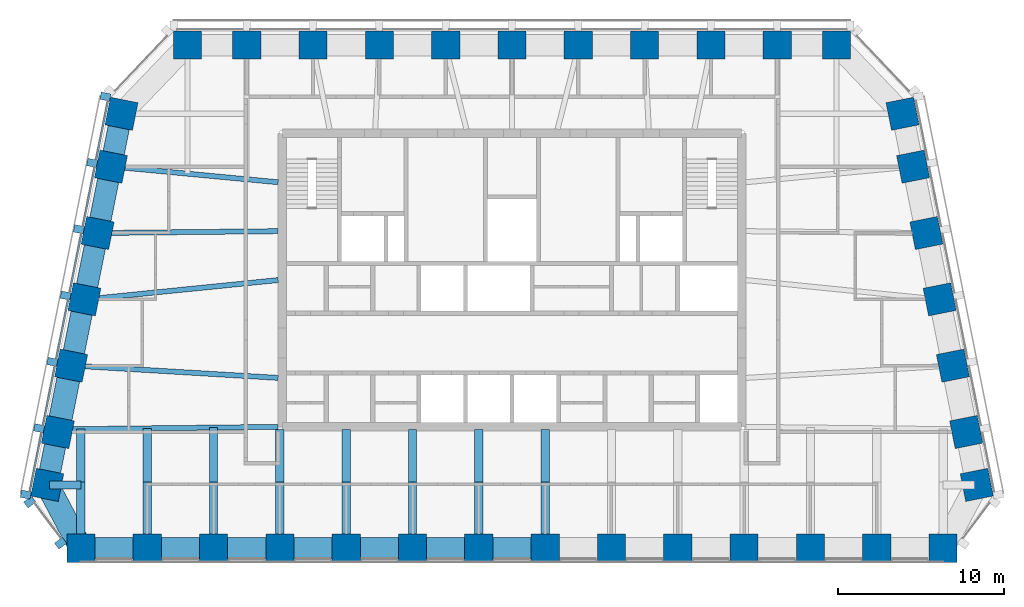
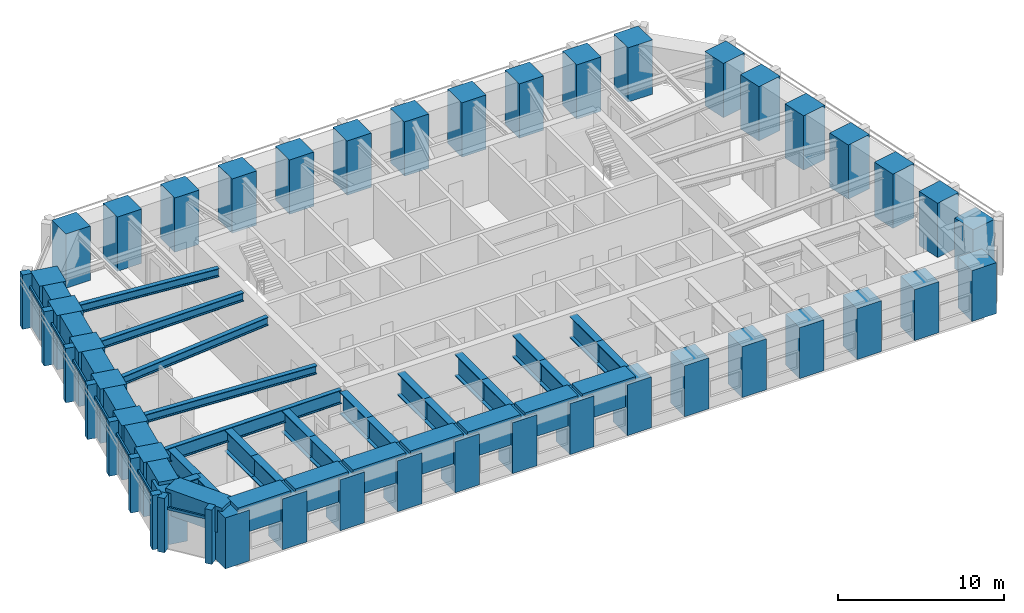
# One storey, part 1 of 12: 39 columns, 36 beams, 16 members, 2 elements without a shape of their own.
"""IFC4 building model written with IfcOpenShell, lengths in metres."""

from ifc_helpers import new_model, si_unit, direction, frame, origin, origin_2d, place, context, subcontext, project, spatial, rectangle, i_section, extrude, material, material_profile, profile_set, type_object, element, aggregate, save


model = new_model("IFC4")

# Units and contexts
model_context = context("Model", 3, precision=1e-05, world=origin(), true_north=direction((0.0, 1.0)))
body_context = subcontext(model_context, "Body", "Model", "MODEL_VIEW")
ifc_project = project(units=[si_unit("LENGTHUNIT", "METRE"), si_unit("AREAUNIT", "SQUARE_METRE"), si_unit("VOLUMEUNIT", "CUBIC_METRE"), si_unit("PLANEANGLEUNIT", "RADIAN"), si_unit("MASSUNIT", "GRAM", prefix="KILO")], contexts=[model_context])

# Site, building, storey
site_placement = place(None, origin())
site = spatial("IfcSite", under=ifc_project, at=site_placement, CompositionType="ELEMENT")
building_placement = place(site_placement, origin())
building = spatial("IfcBuilding", under=site, at=building_placement, Name="Isbrekke Arena Tower", CompositionType="ELEMENT")
storey_placement = place(building_placement, frame((0.0, 0.0, 304.0)))
storey = spatial("IfcBuildingStorey", under=building, at=storey_placement, Name="L71", CompositionType="ELEMENT", Elevation=304.0)

# Columns
ifc_material_1 = material(Name="Concrete B55 (C55/67)", Category="concrete")
ifc_material_profile_1 = material_profile(ifc_material_1, rectangle(XDim=1.699951171875, YDim=1.699951171875, at=origin_2d()), Name="RC 1700x1700")
ifc_profile_set_1 = profile_set([ifc_material_profile_1], Name="Concrete B55 (C55/67)")
column_type = type_object("IfcColumnType", Name="C5 RC 1700 x 1700", PredefinedType="COLUMN", material=ifc_profile_set_1)
for number, where, z_axis, x_axis, name in (
    (1, (-26.0, -1.175048828125, 0.0), (0.0, 0.0, 1.0), (1.0, 0.0, 0.0), "C5 S01"),
    (2, (-22.0, -1.175048828125, 0.0), (0.0, 0.0, 1.0), (1.0, 0.0, 0.0), "C5 S02"),
    (3, (-18.0, -1.175048828125, 0.0), (0.0, 0.0, 1.0), (1.0, 0.0, 0.0), "C5 S03"),
    (4, (-14.0, -1.175048828125, 0.0), (0.0, 0.0, 1.0), (1.0, 0.0, 0.0), "C5 S04"),
    (5, (-10.0, -1.175048828125, 0.0), (0.0, 0.0, 1.0), (1.0, 0.0, 0.0), "C5 S05"),
    (6, (-6.0, -1.175048828125, 0.0), (0.0, 0.0, 1.0), (1.0, 0.0, 0.0), "C5 S06"),
    (7, (-2.0, -1.175048828125, 0.0), (0.0, 0.0, 1.0), (1.0, 0.0, 0.0), "C5 S07"),
    (8, (2.0, -1.175048828125, 0.0), (0.0, 0.0, 1.0), (1.0, 0.0, 0.0), "C5 S08"),
    (9, (6.0, -1.175048828125, 0.0), (0.0, 0.0, 1.0), (1.0, 0.0, 0.0), "C5 S09"),
    (10, (10.0, -1.175048828125, 0.0), (0.0, 0.0, 1.0), (1.0, 0.0, 0.0), "C5 S10"),
    (11, (14.0, -1.175048828125, 0.0), (0.0, 0.0, 1.0), (1.0, 0.0, 0.0), "C5 S11"),
    (12, (18.0, -1.175048828125, 0.0), (0.0, 0.0, 1.0), (1.0, 0.0, 0.0), "C5 S12"),
    (13, (22.0, -1.175048828125, 0.0), (0.0, 0.0, 1.0), (1.0, 0.0, 0.0), "C5 S13"),
    (14, (26.0, -1.175048828125, 0.0), (0.0, 0.0, 1.0), (1.0, 0.0, 0.0), "C5 S14"),
    (15, (28.029296875, 2.647216796875, 0.0), (0.0, 0.0, 1.0), (-0.196116135138, 0.980580675691, 0.0), "C5 E01"),
):
    element("IfcColumn", number, at=place(storey_placement, frame(where, z_axis=z_axis, x_axis=x_axis)), inside=storey, type_object=column_type, Name=name, PredefinedType="COLUMN", context=body_context, shape_type="SweptSolid", body=[
        extrude(rectangle(XDim=1.699951171875, YDim=1.699951171875, at=origin_2d()), origin(), (0.0, 0.0, 1.0), 3.75),
    ])
for number, where, z_axis, x_axis, name in (
    (16, (27.39111328125, 5.838134765625, 0.0), (0.0, 0.0, 1.0), (-0.196116135138, 0.980580675691, 0.0), "C5 E02"),
    (17, (26.591064453125, 9.838134765625, 0.0), (0.0, 0.0, 1.0), (-0.196116135138, 0.980580675691, 0.0), "C5 E03"),
    (18, (25.791015625, 13.838134765625, 0.0), (0.0, 0.0, 1.0), (-0.196116135138, 0.980580675691, 0.0), "C5 E04"),
    (19, (24.990966796875, 17.838134765625, 0.0), (0.0, 0.0, 1.0), (-0.196116135138, 0.980580675691, 0.0), "C5 E05"),
    (20, (24.19091796875, 21.838134765625, 0.0), (0.0, 0.0, 1.0), (-0.196116135138, 0.980580675691, 0.0), "C5 E06"),
    (21, (23.552734375, 25.029296875, 0.0), (0.0, 0.0, 1.0), (-0.196116135138, 0.980580675691, 0.0), "C5 E07"),
    (22, (19.574951171875, 29.175048828125, 0.0), (0.0, 0.0, 1.0), (-1.0, 0.0, 0.0), "C5 N01"),
    (23, (16.0, 29.175048828125, 0.0), (0.0, 0.0, 1.0), (-1.0, 0.0, 0.0), "C5 N02"),
    (24, (12.0, 29.175048828125, 0.0), (0.0, 0.0, 1.0), (-1.0, 0.0, 0.0), "C5 N03"),
    (25, (8.0, 29.175048828125, 0.0), (0.0, 0.0, 1.0), (-1.0, 0.0, 0.0), "C5 N04"),
    (26, (4.0, 29.175048828125, 0.0), (0.0, 0.0, 1.0), (-1.0, 0.0, 0.0), "C5 N05"),
    (27, (0.0, 29.175048828125, 0.0), (0.0, 0.0, 1.0), (-1.0, 0.0, 0.0), "C5 N06"),
    (28, (-4.0, 29.175048828125, 0.0), (0.0, 0.0, 1.0), (-1.0, 0.0, 0.0), "C5 N07"),
    (29, (-8.0, 29.175048828125, 0.0), (0.0, 0.0, 1.0), (-1.0, 0.0, 0.0), "C5 N08"),
    (30, (-12.0, 29.175048828125, 0.0), (0.0, 0.0, 1.0), (-1.0, 0.0, 0.0), "C5 N09"),
    (31, (-16.0, 29.175048828125, 0.0), (0.0, 0.0, 1.0), (-1.0, 0.0, 0.0), "C5 N10"),
    (32, (-19.574951171875, 29.175048828125, 0.0), (0.0, 0.0, 1.0), (-1.0, 0.0, 0.0), "C5 N11"),
    (33, (-23.552734375, 25.029296875, 0.0), (0.0, 0.0, 1.0), (-0.196116135138, -0.980580675691, 0.0), "C5 W01"),
    (34, (-24.19091796875, 21.838134765625, 0.0), (0.0, 0.0, 1.0), (-0.196116135138, -0.980580675691, 0.0), "C5 W02"),
    (35, (-24.990966796875, 17.838134765625, 0.0), (0.0, 0.0, 1.0), (-0.196116135138, -0.980580675691, 0.0), "C5 W03"),
    (36, (-25.791015625, 13.838134765625, 0.0), (0.0, 0.0, 1.0), (-0.196116135138, -0.980580675691, 0.0), "C5 W04"),
    (37, (-26.591064453125, 9.838134765625, 0.0), (0.0, 0.0, 1.0), (-0.196116135138, -0.980580675691, 0.0), "C5 W05"),
    (38, (-27.39111328125, 5.838134765625, 0.0), (0.0, 0.0, 1.0), (-0.196116135138, -0.980580675691, 0.0), "C5 W06"),
):
    element("IfcColumn", number, at=place(storey_placement, frame(where, z_axis=z_axis, x_axis=x_axis)), inside=storey, type_object=column_type, Name=name, PredefinedType="COLUMN", context=body_context, shape_type="SweptSolid", body=[
        extrude(rectangle(XDim=1.699951171875, YDim=1.699951171875, at=origin_2d()), origin(), (0.0, 0.0, 1.0), 4.0),
    ])
column_placement = place(storey_placement, frame((-28.029296875, 2.647216796875, 0.0), z_axis=(0.0, 0.0, 1.0), x_axis=(-0.196116135138, -0.980580675691, 0.0)))
element("IfcColumn", 39, at=column_placement, inside=storey, type_object=column_type, Name="C5 W07", PredefinedType="COLUMN", context=body_context, shape_type="SweptSolid", body=[
    extrude(rectangle(XDim=1.699951171875, YDim=1.699951171875, at=origin_2d()), origin(), (0.0, 0.0, 1.0), 3.75),
])

# Beams
ifc_material_2 = material(Name="Steel S355", Category="steel")
ifc_material_profile_2 = material_profile(ifc_material_2, i_section(OverallWidth=0.304931640625, OverallDepth=0.6201171875, WebThickness=0.02099609375, FlangeThickness=0.0400390625, FilletRadius=0.027099609375, at=origin_2d()), Name="HEM 600")
ifc_profile_set_2 = profile_set([ifc_material_profile_2], Name="Steel S355")
beam_type_1 = type_object("IfcBeamType", Name="B4 HEM 600", PredefinedType="BEAM", material=ifc_profile_set_2)
beam_1_placement = place(storey_placement, frame((-24.02685546875, 21.8369140625, 3.5400390625), z_axis=(0.995574576627, -0.093974796485, 0.0), x_axis=(0.093974796485, 0.995574576627, 0.0)))
element("IfcBeam", 40, at=beam_1_placement, inside=storey, type_object=beam_type_1, Name="B4 beam E-W02 L71", PredefinedType="BEAM", context=body_context, shape_type="SweptSolid", body=[
    extrude(i_section(OverallWidth=0.304931640625, OverallDepth=0.6201171875, WebThickness=0.02099609375, FlangeThickness=0.0400390625, FilletRadius=0.027099609375, at=origin_2d()), origin(), (0.0, 0.0, 1.0), 9.970947265625),
])
beam_2_placement = place(storey_placement, frame((-24.83935546875, 17.838134765625, 3.5400390625), z_axis=(0.999945800258, 0.010411366203, 0.0), x_axis=(-0.010411366203, 0.999945800258, 0.0)))
element("IfcBeam", 41, at=beam_2_placement, inside=storey, type_object=beam_type_1, Name="B4 beam E-W03 L71", PredefinedType="BEAM", context=body_context, shape_type="SweptSolid", body=[
    extrude(i_section(OverallWidth=0.304931640625, OverallDepth=0.6201171875, WebThickness=0.02099609375, FlangeThickness=0.0400390625, FilletRadius=0.027099609375, at=origin_2d()), origin(), (0.0, 0.0, 1.0), 10.73974609375),
])
beam_3_placement = place(storey_placement, frame((-25.625732421875, 13.83984375, 3.5400390625), z_axis=(0.994972081505, 0.100152668587, 0.0), x_axis=(-0.100152668587, 0.994972081505, 0.0)))
element("IfcBeam", 42, at=beam_3_placement, inside=storey, type_object=beam_type_1, Name="B4 beam E-W04 L71", PredefinedType="BEAM", context=body_context, shape_type="SweptSolid", body=[
    extrude(i_section(OverallWidth=0.304931640625, OverallDepth=0.6201171875, WebThickness=0.02099609375, FlangeThickness=0.0400390625, FilletRadius=0.027099609375, at=origin_2d()), origin(), (0.0, 0.0, 1.0), 11.583984375),
])
beam_4_placement = place(storey_placement, frame((-26.431884765625, 9.837646484375, 3.5400390625), z_axis=(0.998216240514, -0.059702070095, 0.0), x_axis=(0.059702070095, 0.998216240514, 0.0)))
element("IfcBeam", 43, at=beam_4_placement, inside=storey, type_object=beam_type_1, Name="B4 beam E-W05 L71", PredefinedType="BEAM", context=body_context, shape_type="SweptSolid", body=[
    extrude(i_section(OverallWidth=0.304931640625, OverallDepth=0.6201171875, WebThickness=0.02099609375, FlangeThickness=0.0400390625, FilletRadius=0.027099609375, at=origin_2d()), origin(), (0.0, 0.0, 1.0), 12.353759765625),
])

# Curtain wall, members
ifc_material_3 = material(Name="Glazed aluminium curtain wall", Category="aluminium")
curtain_wall_type = type_object("IfcCurtainWallType", Name="CWT TOWER CURTAIN WALL TOP ZONE", PredefinedType="USERDEFINED", material=ifc_material_3)
curtain_wall_1_placement = place(storey_placement, origin())
curtain_wall_1 = element("IfcCurtainWall", 44, at=curtain_wall_1_placement, inside=storey, type_object=curtain_wall_type, Name="CWT curtain wall L71-W", ObjectType="TOWER CURTAIN WALL TOP ZONE", PredefinedType="USERDEFINED")
ifc_material_4 = material(Name="Copper-clad aluminium mullion", Category="aluminium")
ifc_material_profile_3 = material_profile(ifc_material_4, rectangle(XDim=0.449951171875, YDim=0.60009765625, at=origin_2d()), Name="PIER 450X600")
ifc_profile_set_3 = profile_set([ifc_material_profile_3], Name="Copper-clad aluminium mullion")
member_type_1 = type_object("IfcMemberType", Name="CWT-M PIER MULLION 450 x 600", PredefinedType="MULLION", material=ifc_profile_set_3)
member_1_placement = place(storey_placement, frame((-24.518798828125, 26.063720703125, 0.0), z_axis=(0.0, 0.0, 1.0), x_axis=(-0.196116135138, -0.980580675691, 0.0)))
member_1 = element("IfcMember", 45, at=member_1_placement, type_object=member_type_1, Name="CWT-M mullion 1", PredefinedType="MULLION", context=body_context, shape_type="SweptSolid", body=[
    extrude(rectangle(XDim=0.449951171875, YDim=0.60009765625, at=origin_2d()), origin(), (0.0, 0.0, 1.0), 4.0),
])
member_2_placement = place(storey_placement, frame((-25.318603515625, 22.063720703125, 0.0), z_axis=(0.0, 0.0, 1.0), x_axis=(-0.196116135138, -0.980580675691, 0.0)))
member_2 = element("IfcMember", 46, at=member_2_placement, type_object=member_type_1, Name="CWT-M mullion 2", PredefinedType="MULLION", context=body_context, shape_type="SweptSolid", body=[
    extrude(rectangle(XDim=0.449951171875, YDim=0.60009765625, at=origin_2d()), origin(), (0.0, 0.0, 1.0), 4.0),
])
member_3_placement = place(storey_placement, frame((-26.11865234375, 18.063720703125, 0.0), z_axis=(0.0, 0.0, 1.0), x_axis=(-0.196116135138, -0.980580675691, 0.0)))
member_3 = element("IfcMember", 47, at=member_3_placement, type_object=member_type_1, Name="CWT-M mullion 3", PredefinedType="MULLION", context=body_context, shape_type="SweptSolid", body=[
    extrude(rectangle(XDim=0.449951171875, YDim=0.60009765625, at=origin_2d()), origin(), (0.0, 0.0, 1.0), 4.0),
])
member_4_placement = place(storey_placement, frame((-26.918701171875, 14.063720703125, 0.0), z_axis=(0.0, 0.0, 1.0), x_axis=(-0.196116135138, -0.980580675691, 0.0)))
member_4 = element("IfcMember", 48, at=member_4_placement, type_object=member_type_1, Name="CWT-M mullion 4", PredefinedType="MULLION", context=body_context, shape_type="SweptSolid", body=[
    extrude(rectangle(XDim=0.449951171875, YDim=0.60009765625, at=origin_2d()), origin(), (0.0, 0.0, 1.0), 4.0),
])
member_5_placement = place(storey_placement, frame((-27.71875, 10.063720703125, 0.0), z_axis=(0.0, 0.0, 1.0), x_axis=(-0.196116135138, -0.980580675691, 0.0)))
member_5 = element("IfcMember", 49, at=member_5_placement, type_object=member_type_1, Name="CWT-M mullion 5", PredefinedType="MULLION", context=body_context, shape_type="SweptSolid", body=[
    extrude(rectangle(XDim=0.449951171875, YDim=0.60009765625, at=origin_2d()), origin(), (0.0, 0.0, 1.0), 4.0),
])
member_6_placement = place(storey_placement, frame((-28.518798828125, 6.063720703125, 0.0), z_axis=(0.0, 0.0, 1.0), x_axis=(-0.196116135138, -0.980580675691, 0.0)))
member_6 = element("IfcMember", 50, at=member_6_placement, type_object=member_type_1, Name="CWT-M mullion 6", PredefinedType="MULLION", context=body_context, shape_type="SweptSolid", body=[
    extrude(rectangle(XDim=0.449951171875, YDim=0.60009765625, at=origin_2d()), origin(), (0.0, 0.0, 1.0), 4.0),
])
member_7_placement = place(storey_placement, frame((-29.318603515625, 2.063720703125, 0.0), z_axis=(0.0, 0.0, 1.0), x_axis=(-0.196116135138, -0.980580675691, 0.0)))
member_7 = element("IfcMember", 51, at=member_7_placement, type_object=member_type_1, Name="CWT-M mullion 7", PredefinedType="MULLION", context=body_context, shape_type="SweptSolid", body=[
    extrude(rectangle(XDim=0.449951171875, YDim=0.60009765625, at=origin_2d()), origin(), (0.0, 0.0, 1.0), 4.0),
])

curtain_wall_2_placement = place(storey_placement, origin())
curtain_wall_2 = element("IfcCurtainWall", 52, at=curtain_wall_2_placement, inside=storey, type_object=curtain_wall_type, Name="CWT curtain wall L71-WS", ObjectType="TOWER CURTAIN WALL TOP ZONE", PredefinedType="USERDEFINED")
member_8_placement = place(storey_placement, frame((-29.08447265625, 1.612548828125, 0.0), z_axis=(0.0, 0.0, 1.0), x_axis=(0.600000000002, -0.799999999998, 0.0)))
member_8 = element("IfcMember", 53, at=member_8_placement, type_object=member_type_1, Name="CWT-M mullion 1", PredefinedType="MULLION", context=body_context, shape_type="SweptSolid", body=[
    extrude(rectangle(XDim=0.449951171875, YDim=0.60009765625, at=origin_2d()), origin(), (0.0, 0.0, 1.0), 4.0),
])
member_9_placement = place(storey_placement, frame((-27.222412109375, -0.8701171875, 0.0), z_axis=(0.0, 0.0, 1.0), x_axis=(0.600000000002, -0.799999999998, 0.0)))
member_9 = element("IfcMember", 54, at=member_9_placement, type_object=member_type_1, Name="CWT-M mullion 2", PredefinedType="MULLION", context=body_context, shape_type="SweptSolid", body=[
    extrude(rectangle(XDim=0.449951171875, YDim=0.60009765625, at=origin_2d()), origin(), (0.0, 0.0, 1.0), 4.0),
])

# Member
ifc_material_5 = material(Name="Aluminium transom", Category="aluminium")
ifc_material_profile_4 = material_profile(ifc_material_5, rectangle(XDim=0.1201171875, YDim=0.199951171875, at=origin_2d()), Name="TRANSOM 120X200")
ifc_profile_set_4 = profile_set([ifc_material_profile_4], Name="Aluminium transom")
member_type_2 = type_object("IfcMemberType", Name="CWT-T TRANSOM 120 x 200", PredefinedType="USERDEFINED", material=ifc_profile_set_4)
member_10_placement = place(storey_placement, frame((-24.36669921875, 25.803955078125, 3.0), z_axis=(-0.196090262229, -0.980585849918, 0.0), x_axis=(0.980585849918, -0.196090262229, 0.0)))
member_10 = element("IfcMember", 55, at=member_10_placement, type_object=member_type_2, Name="CWT-T transom 1", ObjectType="TRANSOM", PredefinedType="USERDEFINED", context=body_context, shape_type="SweptSolid", body=[
    extrude(rectangle(XDim=0.1201171875, YDim=0.199951171875, at=origin_2d()), origin(), (0.0, 0.0, 1.0), 3.62939453125),
])

member_11_placement = place(storey_placement, frame((-25.166748046875, 21.803955078125, 3.0), z_axis=(-0.196090262229, -0.980585849918, 0.0), x_axis=(0.980585849918, -0.196090262229, 0.0)))
member_11 = element("IfcMember", 56, at=member_11_placement, type_object=member_type_2, Name="CWT-T transom 2", ObjectType="TRANSOM", PredefinedType="USERDEFINED", context=body_context, shape_type="SweptSolid", body=[
    extrude(rectangle(XDim=0.1201171875, YDim=0.199951171875, at=origin_2d()), origin(), (0.0, 0.0, 1.0), 3.62939453125),
])

member_12_placement = place(storey_placement, frame((-25.966796875, 17.803955078125, 3.0), z_axis=(-0.196090262229, -0.980585849918, 0.0), x_axis=(0.980585849918, -0.196090262229, 0.0)))
member_12 = element("IfcMember", 57, at=member_12_placement, type_object=member_type_2, Name="CWT-T transom 3", ObjectType="TRANSOM", PredefinedType="USERDEFINED", context=body_context, shape_type="SweptSolid", body=[
    extrude(rectangle(XDim=0.1201171875, YDim=0.199951171875, at=origin_2d()), origin(), (0.0, 0.0, 1.0), 3.62939453125),
])

member_13_placement = place(storey_placement, frame((-26.7666015625, 13.803955078125, 3.0), z_axis=(-0.196154943734, -0.980572913173, 0.0), x_axis=(0.980572913173, -0.196154943734, 0.0)))
member_13 = element("IfcMember", 58, at=member_13_placement, type_object=member_type_2, Name="CWT-T transom 4", ObjectType="TRANSOM", PredefinedType="USERDEFINED", context=body_context, shape_type="SweptSolid", body=[
    extrude(rectangle(XDim=0.1201171875, YDim=0.199951171875, at=origin_2d()), origin(), (0.0, 0.0, 1.0), 3.62939453125),
])

member_14_placement = place(storey_placement, frame((-27.566650390625, 9.803955078125, 3.0), z_axis=(-0.196154943734, -0.980572913173, 0.0), x_axis=(0.980572913173, -0.196154943734, 0.0)))
member_14 = element("IfcMember", 59, at=member_14_placement, type_object=member_type_2, Name="CWT-T transom 5", ObjectType="TRANSOM", PredefinedType="USERDEFINED", context=body_context, shape_type="SweptSolid", body=[
    extrude(rectangle(XDim=0.1201171875, YDim=0.199951171875, at=origin_2d()), origin(), (0.0, 0.0, 1.0), 3.62939453125),
])

member_15_placement = place(storey_placement, frame((-28.36669921875, 5.803955078125, 3.0), z_axis=(-0.196090262229, -0.980585849918, 0.0), x_axis=(0.980585849918, -0.196090262229, 0.0)))
member_15 = element("IfcMember", 60, at=member_15_placement, type_object=member_type_2, Name="CWT-T transom 6", ObjectType="TRANSOM", PredefinedType="USERDEFINED", context=body_context, shape_type="SweptSolid", body=[
    extrude(rectangle(XDim=0.1201171875, YDim=0.199951171875, at=origin_2d()), origin(), (0.0, 0.0, 1.0), 3.62939453125),
])

aggregate(curtain_wall_1, [member_1, member_2, member_3, member_4, member_5, member_6, member_7, member_10, member_11, member_12, member_13, member_14, member_15])

member_16_placement = place(storey_placement, frame((-28.78955078125, 1.552734375, 3.0), z_axis=(0.6, -0.8, 0.0), x_axis=(0.8, 0.6, 0.0)))
member_16 = element("IfcMember", 61, at=member_16_placement, type_object=member_type_2, Name="CWT-T transom 1", ObjectType="TRANSOM", PredefinedType="USERDEFINED", context=body_context, shape_type="SweptSolid", body=[
    extrude(rectangle(XDim=0.1201171875, YDim=0.199951171875, at=origin_2d()), origin(), (0.0, 0.0, 1.0), 2.65380859375),
])

aggregate(curtain_wall_2, [member_8, member_9, member_16])

# Beams
ifc_material_6 = material(Name="Steel S355", Category="steel")
ifc_material_profile_5 = material_profile(ifc_material_6, i_section(OverallWidth=0.302001953125, OverallDepth=1.008056640625, WebThickness=0.02099609375, FlangeThickness=0.0400390625, FilletRadius=0.030029296875, at=origin_2d()), Name="HEM 1000")
ifc_profile_set_5 = profile_set([ifc_material_profile_5], Name="Steel S355")
beam_type_2 = type_object("IfcBeamType", Name="G2 HEM 1000", PredefinedType="BEAM", material=ifc_profile_set_5)
beam_5_placement = place(storey_placement, frame((-14.10009765625, 6.14990234375, 3.345947265625), z_axis=(-0.999936387749, -0.011279204565, 0.0), x_axis=(0.011279204565, -0.999936387749, 0.0)))
element("IfcBeam", 62, at=beam_5_placement, inside=storey, type_object=beam_type_2, Name="G2 beam G2-W L71", PredefinedType="BEAM", context=body_context, shape_type="SweptSolid", body=[
    extrude(i_section(OverallWidth=0.302001953125, OverallDepth=1.008056640625, WebThickness=0.02099609375, FlangeThickness=0.0400390625, FilletRadius=0.030029296875, at=origin_2d()), origin(), (0.0, 0.0, 1.0), 13.2900390625),
])
ifc_material_7 = material(Name="Concrete B55 (C55/67)", Category="concrete")
ifc_material_profile_6 = material_profile(ifc_material_7, rectangle(XDim=1.300048828125, YDim=2.0, at=origin_2d()), Name="RC 1300x2000")
ifc_profile_set_6 = profile_set([ifc_material_profile_6], Name="Concrete B55 (C55/67)")
beam_type_3 = type_object("IfcBeamType", Name="SB4 RC 1300 x 2000", PredefinedType="SPANDREL", material=ifc_profile_set_6)
for number, where, z_axis, x_axis, name in (
    (63, (-25.85009765625, -1.175048828125, 3.0), (1.0, 0.0, 0.0), (0.0, 1.0, 0.0), "SB4 spandrel S01-S02 L71"),
    (64, (-21.85009765625, -1.175048828125, 3.0), (1.0, 0.0, 0.0), (0.0, 1.0, 0.0), "SB4 spandrel S02-S03 L71"),
    (65, (-17.85009765625, -1.175048828125, 3.0), (1.0, 0.0, 0.0), (0.0, 1.0, 0.0), "SB4 spandrel S03-S04 L71"),
    (66, (-13.85009765625, -1.175048828125, 3.0), (1.0, 0.0, 0.0), (0.0, 1.0, 0.0), "SB4 spandrel S04-S05 L71"),
    (67, (-9.85009765625, -1.175048828125, 3.0), (1.0, 0.0, 0.0), (0.0, 1.0, 0.0), "SB4 spandrel S05-S06 L71"),
    (68, (-5.85009765625, -1.175048828125, 3.0), (1.0, 0.0, 0.0), (0.0, 1.0, 0.0), "SB4 spandrel S06-S07 L71"),
    (69, (-1.85009765625, -1.175048828125, 3.0), (1.0, 0.0, 0.0), (0.0, 1.0, 0.0), "SB4 spandrel S07-S08 L71"),
):
    element("IfcBeam", number, at=place(storey_placement, frame(where, z_axis=z_axis, x_axis=x_axis)), inside=storey, type_object=beam_type_3, Name=name, PredefinedType="SPANDREL", context=body_context, shape_type="SweptSolid", body=[
        extrude(rectangle(XDim=1.300048828125, YDim=2.0, at=origin_2d()), origin(), (0.0, 0.0, 1.0), 3.7001953125),
    ])
beam_6_placement = place(storey_placement, frame((-23.582275390625, 24.882080078125, 3.0), z_axis=(-0.196116135138, -0.980580675691, 0.0), x_axis=(0.980580675691, -0.196116135138, 0.0)))
element("IfcBeam", 70, at=beam_6_placement, inside=storey, type_object=beam_type_3, Name="SB4 spandrel W01-W02 L71", PredefinedType="SPANDREL", context=body_context, shape_type="SweptSolid", body=[
    extrude(rectangle(XDim=1.300048828125, YDim=2.0, at=origin_2d()), origin(), (0.0, 0.0, 1.0), 2.9541015625),
])
for number, where, z_axis, x_axis, name in (
    (71, (-24.220458984375, 21.691162109375, 3.0), (-0.196128558387, -0.980578190959, 0.0), (0.980578190959, -0.196128558387, 0.0), "SB4 spandrel W02-W03 L71"),
    (72, (-25.0205078125, 17.691162109375, 3.0), (-0.196128558387, -0.980578190959, 0.0), (0.980578190959, -0.196128558387, 0.0), "SB4 spandrel W03-W04 L71"),
):
    element("IfcBeam", number, at=place(storey_placement, frame(where, z_axis=z_axis, x_axis=x_axis)), inside=storey, type_object=beam_type_3, Name=name, PredefinedType="SPANDREL", context=body_context, shape_type="SweptSolid", body=[
        extrude(rectangle(XDim=1.300048828125, YDim=2.0, at=origin_2d()), origin(), (0.0, 0.0, 1.0), 3.779296875),
    ])
beam_7_placement = place(storey_placement, frame((-25.820556640625, 13.691162109375, 3.0), z_axis=(-0.1960664412, -0.980590613169, 0.0), x_axis=(0.980590613169, -0.1960664412, 0.0)))
element("IfcBeam", 73, at=beam_7_placement, inside=storey, type_object=beam_type_3, Name="SB4 spandrel W04-W05 L71", PredefinedType="SPANDREL", context=body_context, shape_type="SweptSolid", body=[
    extrude(rectangle(XDim=1.300048828125, YDim=2.0, at=origin_2d()), origin(), (0.0, 0.0, 1.0), 3.779052734375),
])
beam_8_placement = place(storey_placement, frame((-27.229248046875, 6.647216796875, 3.0), z_axis=(-0.196092237713, -0.980585454873, 0.0), x_axis=(0.980585454873, -0.196092237713, 0.0)))
element("IfcBeam", 74, at=beam_8_placement, inside=storey, type_object=beam_type_3, Name="SB4 spandrel W06-W07 L71", PredefinedType="SPANDREL", context=body_context, shape_type="SweptSolid", body=[
    extrude(rectangle(XDim=1.300048828125, YDim=2.0, at=origin_2d()), origin(), (0.0, 0.0, 1.0), 3.92919921875),
])
ifc_material_8 = material(Name="Concrete B55 (C55/67)", Category="concrete")
ifc_material_profile_7 = material_profile(ifc_material_8, rectangle(XDim=1.39990234375, YDim=1.89990234375, at=origin_2d()), Name="RC 1400 x 1900")
ifc_profile_set_7 = profile_set([ifc_material_profile_7], Name="Concrete B55 (C55/67)")
beam_type_4 = type_object("IfcBeamType", Name="SB5 RC 1400  x  1900", PredefinedType="SPANDREL", material=ifc_profile_set_7)
beam_9_placement = place(storey_placement, frame((-26.620361328125, 9.691162109375, 3.050048828125), z_axis=(-0.196146384009, -0.980574625432, 0.0), x_axis=(0.980574625432, -0.196146384009, 0.0)))
element("IfcBeam", 75, at=beam_9_placement, inside=storey, type_object=beam_type_4, Name="SB5 spandrel W05-W06 L71", PredefinedType="SPANDREL", context=body_context, shape_type="SweptSolid", body=[
    extrude(rectangle(XDim=1.39990234375, YDim=1.89990234375, at=origin_2d()), origin(), (0.0, 0.0, 1.0), 3.104248046875),
])
beam_10_placement = place(storey_placement, frame((-27.958984375, 2.5146484375, 3.050048828125), z_axis=(0.468951332977, -0.883224007429, 0.0), x_axis=(0.883224007429, 0.468951332977, 0.0)))
element("IfcBeam", 76, at=beam_10_placement, inside=storey, type_object=beam_type_4, Name="SB5 spandrel W07-S01 L71", PredefinedType="SPANDREL", context=body_context, shape_type="SweptSolid", body=[
    extrude(rectangle(XDim=1.39990234375, YDim=1.89990234375, at=origin_2d()), origin(), (0.0, 0.0, 1.0), 4.02734375),
])
ifc_material_9 = material(Name="Steel S355", Category="steel")
ifc_material_profile_8 = material_profile(ifc_material_9, i_section(OverallWidth=0.5, OverallDepth=1.60009765625, WebThickness=0.030029296875, FlangeThickness=0.06005859375, at=origin_2d()), Name="PG 1600x500")
ifc_profile_set_8 = profile_set([ifc_material_profile_8], Name="Steel S355")
beam_type_5 = type_object("IfcBeamType", Name="TG1 PG 1600x500", PredefinedType="BEAM", material=ifc_profile_set_8)
beam_11_placement = place(storey_placement, frame((-26.0, -1.02490234375, 2.949951171875), z_axis=(0.0, 1.0, 0.0), x_axis=(-1.0, 0.0, 0.0)))
element("IfcBeam", 77, at=beam_11_placement, inside=storey, type_object=beam_type_5, Name="TG1 transfer girder C-S01 L71 part 1", PredefinedType="BEAM", context=body_context, shape_type="SweptSolid", body=[
    extrude(i_section(OverallWidth=0.5, OverallDepth=1.60009765625, WebThickness=0.030029296875, FlangeThickness=0.06005859375, at=origin_2d()), origin(), (0.0, 0.0, 1.0), 3.849853515625),
])
beam_12_placement = place(storey_placement, frame((-26.0, 2.824951171875, 2.949951171875), z_axis=(0.0, 1.0, 0.0), x_axis=(-1.0, 0.0, 0.0)))
element("IfcBeam", 78, at=beam_12_placement, inside=storey, type_object=beam_type_5, Name="TG1 transfer girder C-S01 L71 part 2", PredefinedType="BEAM", context=body_context, shape_type="SweptSolid", body=[
    extrude(i_section(OverallWidth=0.5, OverallDepth=1.60009765625, WebThickness=0.030029296875, FlangeThickness=0.06005859375, at=origin_2d()), origin(), (0.0, 0.0, 1.0), 3.190673828125),
])
beam_13_placement = place(storey_placement, frame((-22.0, -1.02490234375, 2.949951171875), z_axis=(0.0, 1.0, 0.0), x_axis=(-1.0, 0.0, 0.0)))
element("IfcBeam", 79, at=beam_13_placement, inside=storey, type_object=beam_type_5, Name="TG1 transfer girder C-S02 L71 part 1", PredefinedType="BEAM", context=body_context, shape_type="SweptSolid", body=[
    extrude(i_section(OverallWidth=0.5, OverallDepth=1.60009765625, WebThickness=0.030029296875, FlangeThickness=0.06005859375, at=origin_2d()), origin(), (0.0, 0.0, 1.0), 3.849853515625),
])
beam_14_placement = place(storey_placement, frame((-22.0, 2.824951171875, 2.949951171875), z_axis=(0.0, 1.0, 0.0), x_axis=(-1.0, 0.0, 0.0)))
element("IfcBeam", 80, at=beam_14_placement, inside=storey, type_object=beam_type_5, Name="TG1 transfer girder C-S02 L71 part 2", PredefinedType="BEAM", context=body_context, shape_type="SweptSolid", body=[
    extrude(i_section(OverallWidth=0.5, OverallDepth=1.60009765625, WebThickness=0.030029296875, FlangeThickness=0.06005859375, at=origin_2d()), origin(), (0.0, 0.0, 1.0), 3.23583984375),
])
beam_15_placement = place(storey_placement, frame((-18.0, -1.02490234375, 2.949951171875), z_axis=(0.0, 1.0, 0.0), x_axis=(-1.0, 0.0, 0.0)))
element("IfcBeam", 81, at=beam_15_placement, inside=storey, type_object=beam_type_5, Name="TG1 transfer girder C-S03 L71 part 1", PredefinedType="BEAM", context=body_context, shape_type="SweptSolid", body=[
    extrude(i_section(OverallWidth=0.5, OverallDepth=1.60009765625, WebThickness=0.030029296875, FlangeThickness=0.06005859375, at=origin_2d()), origin(), (0.0, 0.0, 1.0), 3.849853515625),
])
beam_16_placement = place(storey_placement, frame((-18.0, 2.824951171875, 2.949951171875), z_axis=(0.0, 1.0, 0.0), x_axis=(-1.0, 0.0, 0.0)))
element("IfcBeam", 82, at=beam_16_placement, inside=storey, type_object=beam_type_5, Name="TG1 transfer girder C-S03 L71 part 2", PredefinedType="BEAM", context=body_context, shape_type="SweptSolid", body=[
    extrude(i_section(OverallWidth=0.5, OverallDepth=1.60009765625, WebThickness=0.030029296875, FlangeThickness=0.06005859375, at=origin_2d()), origin(), (0.0, 0.0, 1.0), 3.281005859375),
])
beam_17_placement = place(storey_placement, frame((-14.0, -1.02490234375, 2.949951171875), z_axis=(0.0, 1.0, 0.0), x_axis=(-1.0, 0.0, 0.0)))
element("IfcBeam", 83, at=beam_17_placement, inside=storey, type_object=beam_type_5, Name="TG1 transfer girder C-S04 L71 part 1", PredefinedType="BEAM", context=body_context, shape_type="SweptSolid", body=[
    extrude(i_section(OverallWidth=0.5, OverallDepth=1.60009765625, WebThickness=0.030029296875, FlangeThickness=0.06005859375, at=origin_2d()), origin(), (0.0, 0.0, 1.0), 3.849853515625),
])
beam_18_placement = place(storey_placement, frame((-14.0, 2.824951171875, 2.949951171875), z_axis=(0.0, 1.0, 0.0), x_axis=(-1.0, 0.0, 0.0)))
element("IfcBeam", 84, at=beam_18_placement, inside=storey, type_object=beam_type_5, Name="TG1 transfer girder C-S04 L71 part 2", PredefinedType="BEAM", context=body_context, shape_type="SweptSolid", body=[
    extrude(i_section(OverallWidth=0.5, OverallDepth=1.60009765625, WebThickness=0.030029296875, FlangeThickness=0.06005859375, at=origin_2d()), origin(), (0.0, 0.0, 1.0), 3.175048828125),
])
beam_19_placement = place(storey_placement, frame((-10.0, -1.02490234375, 2.949951171875), z_axis=(0.0, 1.0, 0.0), x_axis=(-1.0, 0.0, 0.0)))
element("IfcBeam", 85, at=beam_19_placement, inside=storey, type_object=beam_type_5, Name="TG1 transfer girder C-S05 L71 part 1", PredefinedType="BEAM", context=body_context, shape_type="SweptSolid", body=[
    extrude(i_section(OverallWidth=0.5, OverallDepth=1.60009765625, WebThickness=0.030029296875, FlangeThickness=0.06005859375, at=origin_2d()), origin(), (0.0, 0.0, 1.0), 3.849853515625),
])
beam_20_placement = place(storey_placement, frame((-10.0, 2.824951171875, 2.949951171875), z_axis=(0.0, 1.0, 0.0), x_axis=(-1.0, 0.0, 0.0)))
element("IfcBeam", 86, at=beam_20_placement, inside=storey, type_object=beam_type_5, Name="TG1 transfer girder C-S05 L71 part 2", PredefinedType="BEAM", context=body_context, shape_type="SweptSolid", body=[
    extrude(i_section(OverallWidth=0.5, OverallDepth=1.60009765625, WebThickness=0.030029296875, FlangeThickness=0.06005859375, at=origin_2d()), origin(), (0.0, 0.0, 1.0), 3.175048828125),
])
beam_21_placement = place(storey_placement, frame((-6.0, -1.02490234375, 2.949951171875), z_axis=(0.0, 1.0, 0.0), x_axis=(-1.0, 0.0, 0.0)))
element("IfcBeam", 87, at=beam_21_placement, inside=storey, type_object=beam_type_5, Name="TG1 transfer girder C-S06 L71 part 1", PredefinedType="BEAM", context=body_context, shape_type="SweptSolid", body=[
    extrude(i_section(OverallWidth=0.5, OverallDepth=1.60009765625, WebThickness=0.030029296875, FlangeThickness=0.06005859375, at=origin_2d()), origin(), (0.0, 0.0, 1.0), 3.849853515625),
])
beam_22_placement = place(storey_placement, frame((-6.0, 2.824951171875, 2.949951171875), z_axis=(0.0, 1.0, 0.0), x_axis=(-1.0, 0.0, 0.0)))
element("IfcBeam", 88, at=beam_22_placement, inside=storey, type_object=beam_type_5, Name="TG1 transfer girder C-S06 L71 part 2", PredefinedType="BEAM", context=body_context, shape_type="SweptSolid", body=[
    extrude(i_section(OverallWidth=0.5, OverallDepth=1.60009765625, WebThickness=0.030029296875, FlangeThickness=0.06005859375, at=origin_2d()), origin(), (0.0, 0.0, 1.0), 3.175048828125),
])
beam_23_placement = place(storey_placement, frame((-2.0, -1.02490234375, 2.949951171875), z_axis=(0.0, 1.0, 0.0), x_axis=(-1.0, 0.0, 0.0)))
element("IfcBeam", 89, at=beam_23_placement, inside=storey, type_object=beam_type_5, Name="TG1 transfer girder C-S07 L71 part 1", PredefinedType="BEAM", context=body_context, shape_type="SweptSolid", body=[
    extrude(i_section(OverallWidth=0.5, OverallDepth=1.60009765625, WebThickness=0.030029296875, FlangeThickness=0.06005859375, at=origin_2d()), origin(), (0.0, 0.0, 1.0), 3.849853515625),
])
beam_24_placement = place(storey_placement, frame((-2.0, 2.824951171875, 2.949951171875), z_axis=(0.0, 1.0, 0.0), x_axis=(-1.0, 0.0, 0.0)))
element("IfcBeam", 90, at=beam_24_placement, inside=storey, type_object=beam_type_5, Name="TG1 transfer girder C-S07 L71 part 2", PredefinedType="BEAM", context=body_context, shape_type="SweptSolid", body=[
    extrude(i_section(OverallWidth=0.5, OverallDepth=1.60009765625, WebThickness=0.030029296875, FlangeThickness=0.06005859375, at=origin_2d()), origin(), (0.0, 0.0, 1.0), 3.175048828125),
])
beam_25_placement = place(storey_placement, frame((2.0, -1.02490234375, 2.949951171875), z_axis=(0.0, 1.0, 0.0), x_axis=(-1.0, 0.0, 0.0)))
element("IfcBeam", 91, at=beam_25_placement, inside=storey, type_object=beam_type_5, Name="TG1 transfer girder C-S08 L71 part 1", PredefinedType="BEAM", context=body_context, shape_type="SweptSolid", body=[
    extrude(i_section(OverallWidth=0.5, OverallDepth=1.60009765625, WebThickness=0.030029296875, FlangeThickness=0.06005859375, at=origin_2d()), origin(), (0.0, 0.0, 1.0), 3.849853515625),
])
beam_26_placement = place(storey_placement, frame((2.0, 2.824951171875, 2.949951171875), z_axis=(0.0, 1.0, 0.0), x_axis=(-1.0, 0.0, 0.0)))
element("IfcBeam", 92, at=beam_26_placement, inside=storey, type_object=beam_type_5, Name="TG1 transfer girder C-S08 L71 part 2", PredefinedType="BEAM", context=body_context, shape_type="SweptSolid", body=[
    extrude(i_section(OverallWidth=0.5, OverallDepth=1.60009765625, WebThickness=0.030029296875, FlangeThickness=0.06005859375, at=origin_2d()), origin(), (0.0, 0.0, 1.0), 3.175048828125),
])
beam_27_placement = place(storey_placement, frame((-27.879150390625, 2.647216796875, 2.949951171875), z_axis=(1.0, 0.0, 0.0), x_axis=(0.0, 1.0, 0.0)))
element("IfcBeam", 93, at=beam_27_placement, inside=storey, type_object=beam_type_5, Name="TG1 transfer girder E-W07 L71", PredefinedType="BEAM", context=body_context, shape_type="SweptSolid", body=[
    extrude(i_section(OverallWidth=0.5, OverallDepth=1.60009765625, WebThickness=0.030029296875, FlangeThickness=0.06005859375, at=origin_2d()), origin(), (0.0, 0.0, 1.0), 1.879150390625),
])

save(model, "model.ifc")
